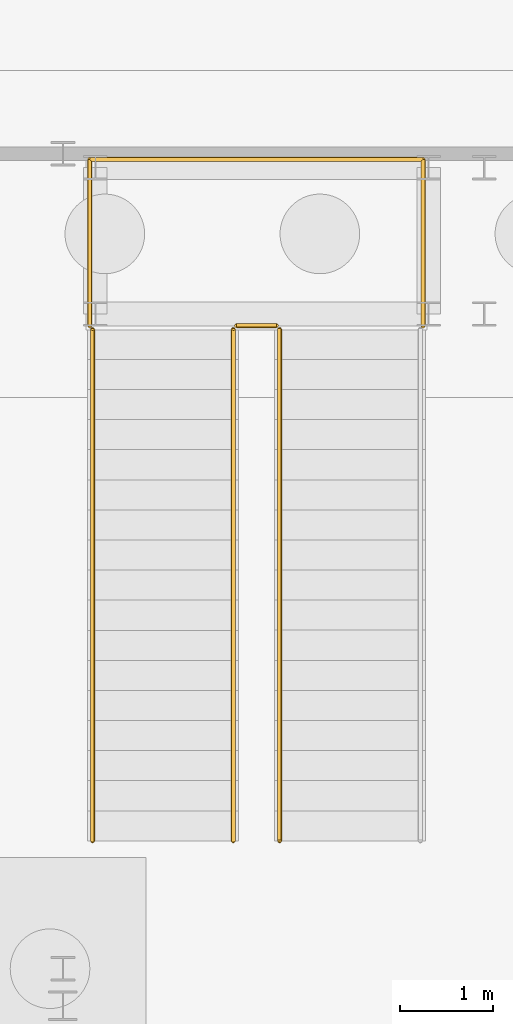
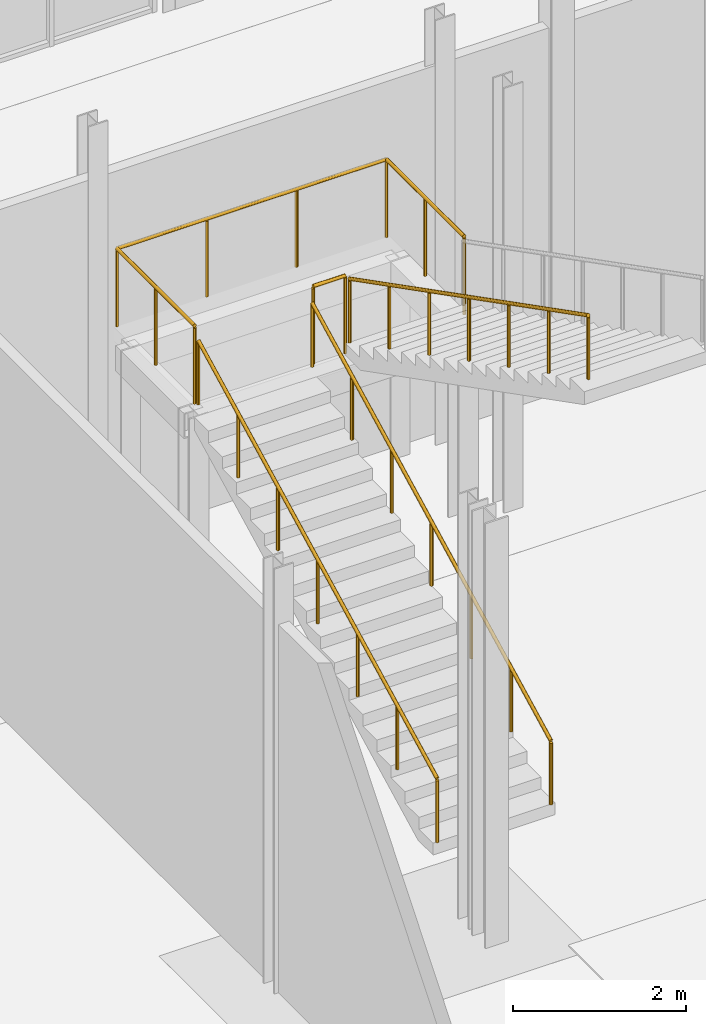
# One storey, part 124 of 131: 5 railings.
"""IFC4 building model written with IfcOpenShell, lengths in metres."""

from ifc_helpers import new_model, si_unit, direction, frame, origin, origin_2d, place, context, subcontext, project, spatial, circle, extrude, material, type_object, element, save


model = new_model("IFC4")

# Units and contexts
model_context = context("Model", 3, precision=1e-05, world=origin(), true_north=direction((0.0, 1.0)))
body_context = subcontext(model_context, "Body", "Model", "MODEL_VIEW")
ifc_project = project(units=[si_unit("LENGTHUNIT", "METRE"), si_unit("AREAUNIT", "SQUARE_METRE"), si_unit("VOLUMEUNIT", "CUBIC_METRE"), si_unit("PLANEANGLEUNIT", "RADIAN"), si_unit("MASSUNIT", "GRAM", prefix="KILO")], contexts=[model_context])

# Site, building, storey
site_placement = place(None, origin())
site = spatial("IfcSite", under=ifc_project, at=site_placement, CompositionType="ELEMENT")
building_placement = place(site_placement, origin())
building = spatial("IfcBuilding", under=site, at=building_placement, Name="Cazmaro Siding Exhibition Halls", CompositionType="ELEMENT")
storey_placement = place(building_placement, origin())
storey = spatial("IfcBuildingStorey", under=building, at=storey_placement, Name="L00", CompositionType="ELEMENT", Elevation=0.0)

# Railings
ifc_material_1 = material(Name="Painted Steel Stairwell Guardrail", Category="steel")
railing_type_1 = type_object("IfcRailingType", Name="RL-GRD-01", PredefinedType="GUARDRAIL", material=ifc_material_1)
railing_1_placement = place(storey_placement, frame((61.675048828125, 109.945068359375, 3.0)))
element("IfcRailing", 1, at=railing_1_placement, inside=storey, type_object=railing_type_1, Name="ST-22 Mid-Landing Slot Guard RL-GRD-01 RL-SG043", PredefinedType="GUARDRAIL", context=body_context, shape_type="SweptSolid", body=[
    extrude(circle(Radius=0.02392578125, at=origin_2d()), frame((0.0, 0.0, 1.09619140625), z_axis=(1.0, 0.0, 0.0), x_axis=(0.0, 1.0, 0.0)), (0.0, 0.0, 1.0), 0.429931640625),
    extrude(circle(Radius=0.02099609375, at=origin_2d()), origin(), (0.0, 0.0, 1.0), 1.072021484375),
    extrude(circle(Radius=0.02099609375, at=origin_2d()), frame((0.429931640625, 0.0, 0.0)), (0.0, 0.0, 1.0), 1.072021484375),
])
railing_2_placement = place(storey_placement, frame((60.090087890625, 109.93994140625, 3.0)))
element("IfcRailing", 2, at=railing_2_placement, inside=storey, type_object=railing_type_1, Name="ST-22 Mid-Landing Perimeter Guard RL-GRD-01 RL-SG044", PredefinedType="GUARDRAIL", context=body_context, shape_type="SweptSolid", body=[
    extrude(circle(Radius=0.02392578125, at=origin_2d()), frame((0.0, 0.0, 1.09619140625), z_axis=(0.0, 1.0, 0.0), x_axis=(-1.0, 0.0, 0.0)), (0.0, 0.0, 1.0), 1.800048828125),
    extrude(circle(Radius=0.02392578125, at=origin_2d()), frame((0.0, 1.800048828125, 1.09619140625), z_axis=(1.0, 0.0, 0.0), x_axis=(0.0, 1.0, 0.0)), (0.0, 0.0, 1.0), 3.599853515625),
    extrude(circle(Radius=0.02392578125, at=origin_2d()), frame((3.599853515625, 1.800048828125, 1.09619140625), z_axis=(0.0, -1.0, 0.0), x_axis=(1.0, 0.0, 0.0)), (0.0, 0.0, 1.0), 1.800048828125),
    extrude(circle(Radius=0.02099609375, at=origin_2d()), origin(), (0.0, 0.0, 1.0), 1.072021484375),
    extrude(circle(Radius=0.02099609375, at=origin_2d()), frame((0.0, 0.89990234375, 0.0)), (0.0, 0.0, 1.0), 1.072021484375),
    extrude(circle(Radius=0.02099609375, at=origin_2d()), frame((0.0, 1.800048828125, 0.0)), (0.0, 0.0, 1.0), 1.072021484375),
    extrude(circle(Radius=0.02099609375, at=origin_2d()), frame((1.199951171875, 1.800048828125, 0.0)), (0.0, 0.0, 1.0), 1.072021484375),
    extrude(circle(Radius=0.02099609375, at=origin_2d()), frame((2.39990234375, 1.800048828125, 0.0)), (0.0, 0.0, 1.0), 1.072021484375),
    extrude(circle(Radius=0.02099609375, at=origin_2d()), frame((3.599853515625, 1.800048828125, 0.0)), (0.0, 0.0, 1.0), 1.072021484375),
    extrude(circle(Radius=0.02099609375, at=origin_2d()), frame((3.599853515625, 0.89990234375, 0.0)), (0.0, 0.0, 1.0), 1.072021484375),
    extrude(circle(Radius=0.02099609375, at=origin_2d()), frame((3.599853515625, 0.0, 0.0)), (0.0, 0.0, 1.0), 1.072021484375),
])
ifc_material_2 = material(Name="Brushed Stainless Steel Tubular Handrail", Category="steel")
railing_type_2 = type_object("IfcRailingType", Name="RL-HR-01", PredefinedType="HANDRAIL", material=ifc_material_2)
railing_3_placement = place(storey_placement, frame((60.1201171875, 104.3798828125, 0.1669921875)))
element("IfcRailing", 3, at=railing_3_placement, inside=storey, type_object=railing_type_2, Name="ST-22 Flight 1 Handrail 1", PredefinedType="HANDRAIL", context=body_context, shape_type="SweptSolid", body=[
    extrude(circle(Radius=0.02392578125, at=origin_2d()), frame((0.0, 0.0, 0.89599609375), z_axis=(0.0, 0.88984366082, 0.45626555787), x_axis=(-1.0, 0.0, 0.0)), (0.0, 0.0, 1.0), 6.209228515625),
    extrude(circle(Radius=0.02099609375, at=origin_2d()), origin(), (0.0, 0.0, 1.0), 0.871826171875),
    extrude(circle(Radius=0.02099609375, at=origin_2d()), frame((0.0, 0.9208984375, 0.47216796875)), (0.0, 0.0, 1.0), 0.871826171875),
    extrude(circle(Radius=0.02099609375, at=origin_2d()), frame((0.0, 1.841796875, 0.9443359375)), (0.0, 0.0, 1.0), 0.871826171875),
    extrude(circle(Radius=0.02099609375, at=origin_2d()), frame((0.0, 2.7626953125, 1.41650390625)), (0.0, 0.0, 1.0), 0.871826171875),
    extrude(circle(Radius=0.02099609375, at=origin_2d()), frame((0.0, 3.683349609375, 1.888671875)), (0.0, 0.0, 1.0), 0.871826171875),
    extrude(circle(Radius=0.02099609375, at=origin_2d()), frame((0.0, 4.604248046875, 2.36083984375)), (0.0, 0.0, 1.0), 0.871826171875),
    extrude(circle(Radius=0.02099609375, at=origin_2d()), frame((0.0, 5.525146484375, 2.8330078125)), (0.0, 0.0, 1.0), 0.871826171875),
])
railing_4_placement = place(storey_placement, frame((62.139892578125, 109.905029296875, 3.1669921875)))
element("IfcRailing", 4, at=railing_4_placement, inside=storey, type_object=railing_type_2, Name="ST-22 Flight 2 Handrail 1", PredefinedType="HANDRAIL", context=body_context, shape_type="SweptSolid", body=[
    extrude(circle(Radius=0.02392578125, at=origin_2d()), frame((0.0, 0.0, 0.89599609375), z_axis=(0.0, -0.88984366082, 0.45626555787), x_axis=(1.0, 0.0, 0.0)), (0.0, 0.0, 1.0), 6.209228515625),
    extrude(circle(Radius=0.02099609375, at=origin_2d()), origin(), (0.0, 0.0, 1.0), 0.871826171875),
    extrude(circle(Radius=0.02099609375, at=origin_2d()), frame((0.0, -0.9208984375, 0.47216796875)), (0.0, 0.0, 1.0), 0.871826171875),
    extrude(circle(Radius=0.02099609375, at=origin_2d()), frame((0.0, -1.841796875, 0.9443359375)), (0.0, 0.0, 1.0), 0.871826171875),
    extrude(circle(Radius=0.02099609375, at=origin_2d()), frame((0.0, -2.7626953125, 1.41650390625)), (0.0, 0.0, 1.0), 0.871826171875),
    extrude(circle(Radius=0.02099609375, at=origin_2d()), frame((0.0, -3.683349609375, 1.888671875)), (0.0, 0.0, 1.0), 0.871826171875),
    extrude(circle(Radius=0.02099609375, at=origin_2d()), frame((0.0, -4.604248046875, 2.36083984375)), (0.0, 0.0, 1.0), 0.871826171875),
    extrude(circle(Radius=0.02099609375, at=origin_2d()), frame((0.0, -5.525146484375, 2.8330078125)), (0.0, 0.0, 1.0), 0.871826171875),
])
railing_5_placement = place(storey_placement, frame((61.639892578125, 104.3798828125, 0.1669921875)))
element("IfcRailing", 5, at=railing_5_placement, inside=storey, type_object=railing_type_2, Name="ST-22 Flight 1 Handrail 2", PredefinedType="HANDRAIL", context=body_context, shape_type="SweptSolid", body=[
    extrude(circle(Radius=0.02392578125, at=origin_2d()), frame((0.0, 0.0, 0.89599609375), z_axis=(0.0, 0.88984366082, 0.45626555787), x_axis=(-1.0, 0.0, 0.0)), (0.0, 0.0, 1.0), 6.209228515625),
    extrude(circle(Radius=0.02099609375, at=origin_2d()), origin(), (0.0, 0.0, 1.0), 0.871826171875),
    extrude(circle(Radius=0.02099609375, at=origin_2d()), frame((0.0, 0.9208984375, 0.47216796875)), (0.0, 0.0, 1.0), 0.871826171875),
    extrude(circle(Radius=0.02099609375, at=origin_2d()), frame((0.0, 1.841796875, 0.9443359375)), (0.0, 0.0, 1.0), 0.871826171875),
    extrude(circle(Radius=0.02099609375, at=origin_2d()), frame((0.0, 2.7626953125, 1.41650390625)), (0.0, 0.0, 1.0), 0.871826171875),
    extrude(circle(Radius=0.02099609375, at=origin_2d()), frame((0.0, 3.683349609375, 1.888671875)), (0.0, 0.0, 1.0), 0.871826171875),
    extrude(circle(Radius=0.02099609375, at=origin_2d()), frame((0.0, 4.604248046875, 2.36083984375)), (0.0, 0.0, 1.0), 0.871826171875),
    extrude(circle(Radius=0.02099609375, at=origin_2d()), frame((0.0, 5.525146484375, 2.8330078125)), (0.0, 0.0, 1.0), 0.871826171875),
])

save(model, "model.ifc")
